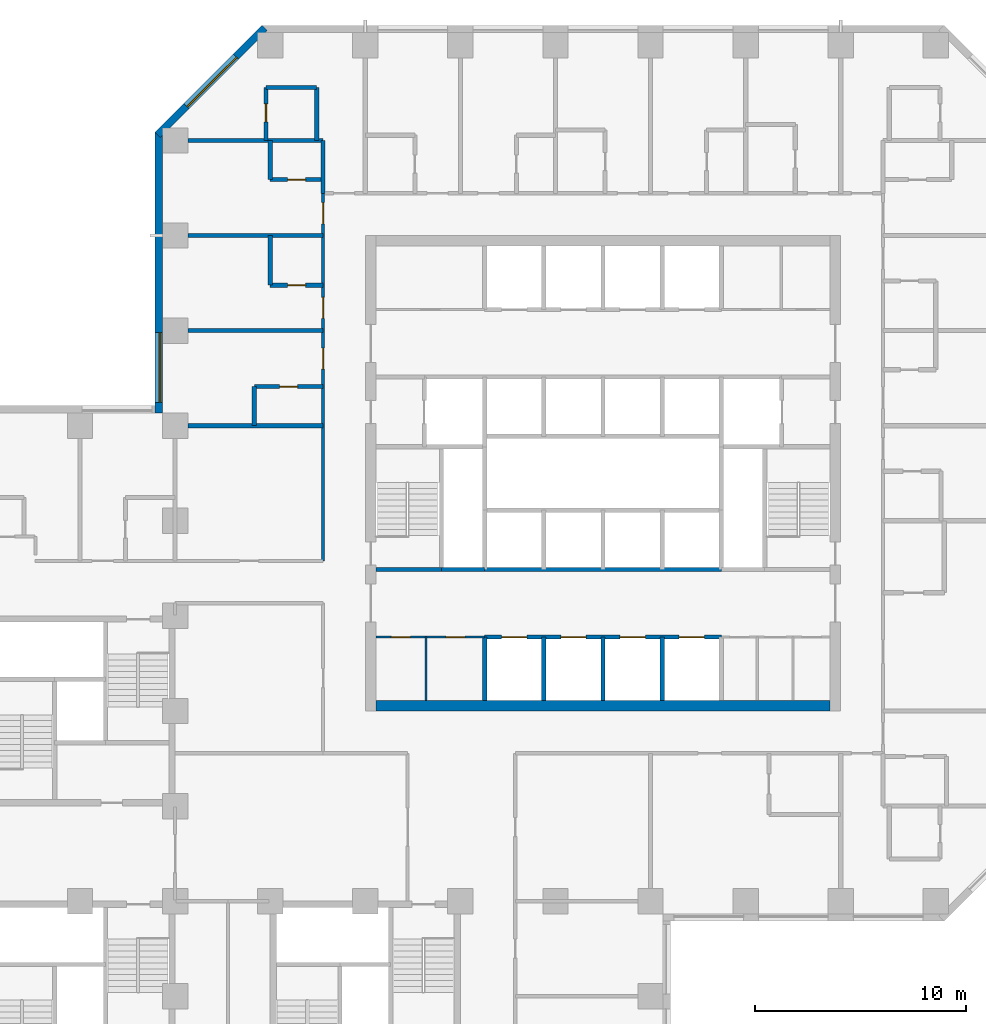
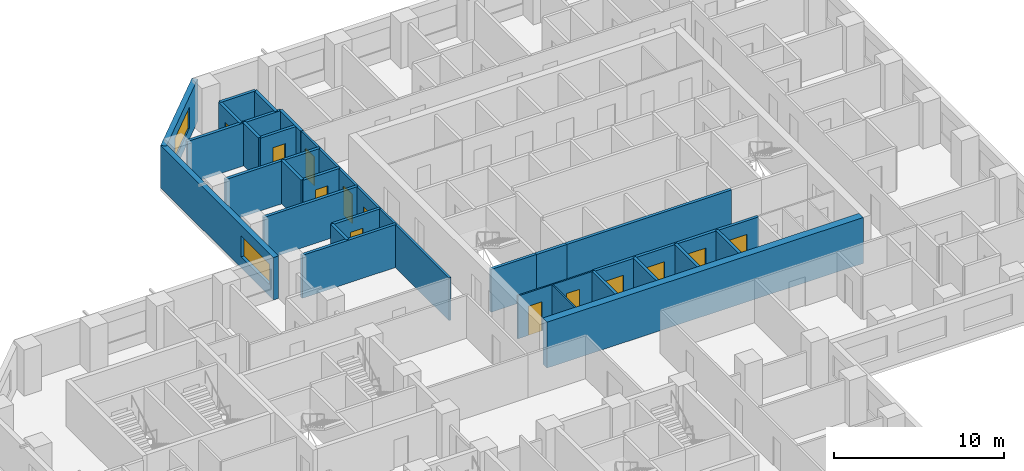
# One storey, part 7 of 13: 28 walls, 13 doors, 2 windows, 15 openings.
"""IFC4 building model written with IfcOpenShell, lengths in metres."""

from ifc_helpers import new_model, si_unit, direction, frame, frame_2d, origin, place, context, subcontext, project, spatial, rectangle, extrude, material, layer, layer_set, constituent, constituent_set, type_object, element, fill, save


model = new_model("IFC4")

# Units and contexts
model_context = context("Model", 3, precision=1e-05, world=origin(), true_north=direction((0.0, 1.0)))
body_context = subcontext(model_context, "Body", "Model", "MODEL_VIEW")
ifc_project = project(units=[si_unit("LENGTHUNIT", "METRE"), si_unit("AREAUNIT", "SQUARE_METRE"), si_unit("VOLUMEUNIT", "CUBIC_METRE"), si_unit("PLANEANGLEUNIT", "RADIAN"), si_unit("MASSUNIT", "GRAM", prefix="KILO")], contexts=[model_context])

# Site, building, storey
site_placement = place(None, origin())
site = spatial("IfcSite", under=ifc_project, at=site_placement, CompositionType="ELEMENT")
building_placement = place(site_placement, origin())
building = spatial("IfcBuilding", under=site, at=building_placement, Name="Quoin Convention Tower", CompositionType="ELEMENT")
storey_placement = place(building_placement, frame((0.0, 0.0, 23.10009765625)))
storey = spatial("IfcBuildingStorey", under=building, at=storey_placement, Name="L04", CompositionType="ELEMENT", Elevation=23.10009765625)

# Wall, opening, window
ifc_material_1 = material(Name="Brick masonry", Category="masonry")
ifc_layer_1 = layer(ifc_material_1, 0.35009765625)
ifc_layer_set_1 = layer_set([ifc_layer_1], Name="Brick masonry")
wall_type_1 = type_object("IfcWallType", Name="Brick facade wall", PredefinedType="STANDARD", material=ifc_layer_set_1)
wall_1_placement = place(storey_placement, frame((40.230224609375, 81.826416015625, 0.0), z_axis=(0.0, 0.0, 1.0), x_axis=(-0.707106781187, -0.707106781187, 0.0)))
wall_1 = element("IfcWall", 1, at=wall_1_placement, inside=storey, type_object=wall_type_1, Name="fw-L04-40500_81000", PredefinedType="STANDARD", context=body_context, shape_type="SweptSolid", body=[
    extrude(rectangle(XDim=7.151123046875, YDim=0.35009765625, at=frame_2d((3.57568359375, 0.0))), origin(), (0.0, 0.0, 1.0), 3.054931640625),
])
opening_1_placement = place(wall_1_placement, frame((1.925537109375, 0.0, 0.800048828125)))
opening_1 = element("IfcOpeningElement", 2, at=opening_1_placement, cuts=wall_1, Name="Opening W-01", PredefinedType="OPENING", context=body_context, shape_type="SweptSolid", body=[
    extrude(rectangle(XDim=3.300048828125, YDim=1.5, at=frame_2d((1.64990234375, 0.75))), frame((0.0, 0.18505859375, 0.0), z_axis=(0.0, -1.0, 0.0), x_axis=(1.0, 0.0, 0.0)), (0.0, 0.0, 1.0), 0.3701171875),
])
ifc_material_2 = material(Name="Aluminium", Category="aluminium")
ifc_constituent_1 = constituent(ifc_material_2, Name="Frame")
ifc_material_3 = material(Name="Insulated glass", Category="glass")
ifc_constituent_2 = constituent(ifc_material_3, Name="Glazing")
ifc_constituent_set = constituent_set(constituents=[ifc_constituent_1, ifc_constituent_2], Name="Aluminium")
window_type = type_object("IfcWindowType", Name="Hotel strip window", PartitioningType="DOUBLE_PANEL_VERTICAL", PredefinedType="WINDOW", material=ifc_constituent_set)
window_1_placement = place(opening_1_placement, origin())
window_1 = element("IfcWindow", 3, at=window_1_placement, inside=storey, type_object=window_type, Name="win-L04-37702_79298", OverallHeight=1.5, OverallWidth=3.300048828125, PartitioningType="SINGLE_PANEL", PredefinedType="WINDOW", context=body_context, shape_type="SweptSolid", body=[
    extrude(rectangle(XDim=3.300048828125, YDim=1.5, at=frame_2d((1.64990234375, 0.75))), frame((0.0, 0.0849609375, 0.0), z_axis=(0.0, -1.0, 0.0), x_axis=(1.0, 0.0, 0.0)), (0.0, 0.0, 1.0), 0.06005859375),
])
fill(opening_1, window_1)

wall_2_placement = place(storey_placement, frame((35.22509765625, 76.8935546875, 0.0), z_axis=(0.0, 0.0, 1.0), x_axis=(0.0, -1.0, 0.0)))
wall_2 = element("IfcWall", 4, at=wall_2_placement, inside=storey, type_object=wall_type_1, Name="fw-L04-36000_76500", PredefinedType="STANDARD", context=body_context, shape_type="SweptSolid", body=[
    extrude(rectangle(XDim=13.29345703125, YDim=0.35009765625, at=frame_2d((6.646728515625, 0.0))), origin(), (0.0, 0.0, 1.0), 3.054931640625),
])
opening_2_placement = place(wall_2_placement, frame((9.493408203125, 0.0, 0.800048828125)))
opening_2 = element("IfcOpeningElement", 5, at=opening_2_placement, cuts=wall_2, Name="Opening W-01", PredefinedType="OPENING", context=body_context, shape_type="SweptSolid", body=[
    extrude(rectangle(XDim=3.300048828125, YDim=1.5, at=frame_2d((1.64990234375, 0.75))), frame((0.0, 0.18505859375, 0.0), z_axis=(0.0, -1.0, 0.0), x_axis=(1.0, 0.0, 0.0)), (0.0, 0.0, 1.0), 0.3701171875),
])
window_2_placement = place(opening_2_placement, origin())
window_2 = element("IfcWindow", 6, at=window_2_placement, inside=storey, type_object=window_type, Name="win-L04-35225_65250", OverallHeight=1.5, OverallWidth=3.300048828125, PartitioningType="SINGLE_PANEL", PredefinedType="WINDOW", context=body_context, shape_type="SweptSolid", body=[
    extrude(rectangle(XDim=3.300048828125, YDim=1.5, at=frame_2d((1.64990234375, 0.75))), frame((0.0, 0.0849609375, 0.0), z_axis=(0.0, -1.0, 0.0), x_axis=(1.0, 0.0, 0.0)), (0.0, 0.0, 1.0), 0.06005859375),
])
fill(opening_2, window_2)

# Wall, openings, doors
ifc_material_4 = material(Name="Plasterboard")
ifc_layer_2 = layer(ifc_material_4, 0.012451171875, Name="Finish")
ifc_material_5 = material(Name="Steel stud framing", Category="steel")
ifc_layer_3 = layer(ifc_material_5, 0.074951171875, Name="Structure")
ifc_layer_4 = layer(ifc_material_4, 0.012451171875, Name="Finish")
ifc_layer_set_2 = layer_set([ifc_layer_2, ifc_layer_3, ifc_layer_4], Name="Steel stud framing")
wall_type_2 = type_object("IfcWallType", Name="Core partition wall", PredefinedType="PARTITIONING", material=ifc_layer_set_2)
wall_3_placement = place(storey_placement, frame((45.5, 53.0, 0.0), z_axis=(0.0, 0.0, 1.0), x_axis=(1.0, 0.0, 0.0)))
wall_3 = element("IfcWall", 7, at=wall_3_placement, inside=storey, type_object=wall_type_2, Name="cr-C1-L04-h3500_500", PredefinedType="PARTITIONING", context=body_context, shape_type="SweptSolid", body=[
    extrude(rectangle(XDim=5.14990234375, YDim=0.10009765625, at=frame_2d((2.574951171875, 0.0))), origin(), (0.0, 0.0, 1.0), 3.079833984375),
])
opening_3_placement = place(wall_3_placement, frame((0.734619140625, 0.0, 0.0)))
opening_3 = element("IfcOpeningElement", 8, at=opening_3_placement, cuts=wall_3, Name="Opening DCV2-35", PredefinedType="OPENING", context=body_context, shape_type="SweptSolid", body=[
    extrude(rectangle(XDim=0.89990234375, YDim=2.10009765625, at=frame_2d((0.449951171875, 1.050048828125))), frame((0.0, 0.06005859375, 0.0), z_axis=(0.0, -1.0, 0.0), x_axis=(1.0, 0.0, 0.0)), (0.0, 0.0, 1.0), 0.1201171875),
])
opening_4_placement = place(wall_3_placement, frame((3.3095703125, 0.0, 0.0)))
opening_4 = element("IfcOpeningElement", 9, at=opening_4_placement, cuts=wall_3, Name="Opening DCV2-36", PredefinedType="OPENING", context=body_context, shape_type="SweptSolid", body=[
    extrude(rectangle(XDim=0.89990234375, YDim=2.10009765625, at=frame_2d((0.449951171875, 1.050048828125))), frame((0.0, 0.06005859375, 0.0), z_axis=(0.0, -1.0, 0.0), x_axis=(1.0, 0.0, 0.0)), (0.0, 0.0, 1.0), 0.1201171875),
])
ifc_material_6 = material(Name="Steel door leaf", Category="steel")
door_type_1 = type_object("IfcDoorType", Name="Core room door 900 x 2100", OperationType="SINGLE_SWING_LEFT", PredefinedType="DOOR", material=ifc_material_6)
door_1_placement = place(opening_3_placement, frame((0.89990234375, 0.0, 0.0), z_axis=(0.0, 0.0, 1.0), x_axis=(-1.0, 0.0, 0.0)))
door_1 = element("IfcDoor", 10, at=door_1_placement, inside=storey, type_object=door_type_1, Name="cd-C1-L04-CSW0-lobA-CD0413", OperationType="SINGLE_SWING_LEFT", OverallHeight=2.10009765625, OverallWidth=0.89990234375, PredefinedType="DOOR", context=body_context, shape_type="SweptSolid", body=[
    extrude(rectangle(XDim=0.89990234375, YDim=2.10009765625, at=frame_2d((0.449951171875, 1.050048828125))), frame((0.0, 0.02490234375, 0.0), z_axis=(0.0, -1.0, 0.0), x_axis=(1.0, 0.0, 0.0)), (0.0, 0.0, 1.0), 0.050048828125),
])
fill(opening_3, door_1)
door_2_placement = place(opening_4_placement, frame((0.89990234375, 0.0, 0.0), z_axis=(0.0, 0.0, 1.0), x_axis=(-1.0, 0.0, 0.0)))
door_2 = element("IfcDoor", 11, at=door_2_placement, inside=storey, type_object=door_type_1, Name="cd-C1-L04-CSW1-lobA-CD0414", OperationType="SINGLE_SWING_LEFT", OverallHeight=2.10009765625, OverallWidth=0.89990234375, PredefinedType="DOOR", context=body_context, shape_type="SweptSolid", body=[
    extrude(rectangle(XDim=0.89990234375, YDim=2.10009765625, at=frame_2d((0.449951171875, 1.050048828125))), frame((0.0, 0.02490234375, 0.0), z_axis=(0.0, -1.0, 0.0), x_axis=(1.0, 0.0, 0.0)), (0.0, 0.0, 1.0), 0.050048828125),
])
fill(opening_4, door_2)

# Wall
wall_4_placement = place(storey_placement, frame((47.868896484375, 50.0, 0.0), z_axis=(0.0, 0.0, 1.0), x_axis=(0.0, 1.0, 0.0)))
element("IfcWall", 12, at=wall_4_placement, inside=storey, type_object=wall_type_2, Name="cr-C1-L04-v2869_500", PredefinedType="PARTITIONING", context=body_context, shape_type="SweptSolid", body=[
    extrude(rectangle(XDim=3.0, YDim=0.10009765625, at=frame_2d((1.5, 0.0))), origin(), (0.0, 0.0, 1.0), 3.079833984375),
])

# Wall, openings, doors
ifc_material_7 = material(Name="Concrete C50", Category="concrete")
ifc_layer_5 = layer(ifc_material_7, 0.199951171875)
ifc_layer_set_3 = layer_set([ifc_layer_5], Name="Concrete C50")
wall_type_3 = type_object("IfcWallType", Name="Core shaft wall", PredefinedType="SOLIDWALL", material=ifc_layer_set_3)
wall_5_placement = place(storey_placement, frame((50.64990234375, 53.0, 0.0), z_axis=(0.0, 0.0, 1.0), x_axis=(1.0, 0.0, 0.0)))
wall_5 = element("IfcWall", 13, at=wall_5_placement, inside=storey, type_object=wall_type_3, Name="cr-C1-L04-h3500_5650", PredefinedType="SOLIDWALL", context=body_context, shape_type="SweptSolid", body=[
    extrude(rectangle(XDim=11.2001953125, YDim=0.199951171875, at=frame_2d((5.60009765625, 0.0))), origin(), (0.0, 0.0, 1.0), 3.079833984375),
])
opening_5_placement = place(wall_5_placement, frame((0.800048828125, 0.0, 0.0)))
opening_5 = element("IfcOpeningElement", 14, at=opening_5_placement, cuts=wall_5, Name="Opening LDL1", PredefinedType="OPENING", context=body_context, shape_type="SweptSolid", body=[
    extrude(rectangle(XDim=1.199951171875, YDim=2.10009765625, at=frame_2d((0.60009765625, 1.050048828125))), frame((0.0, 0.10986328125, 0.0), z_axis=(0.0, -1.0, 0.0), x_axis=(1.0, 0.0, 0.0)), (0.0, 0.0, 1.0), 0.219970703125),
])
opening_6_placement = place(wall_5_placement, frame((3.60009765625, 0.0, 0.0)))
opening_6 = element("IfcOpeningElement", 15, at=opening_6_placement, cuts=wall_5, Name="Opening LDL2", PredefinedType="OPENING", context=body_context, shape_type="SweptSolid", body=[
    extrude(rectangle(XDim=1.199951171875, YDim=2.10009765625, at=frame_2d((0.60009765625, 1.050048828125))), frame((0.0, 0.10986328125, 0.0), z_axis=(0.0, -1.0, 0.0), x_axis=(1.0, 0.0, 0.0)), (0.0, 0.0, 1.0), 0.219970703125),
])
opening_7_placement = place(wall_5_placement, frame((6.39990234375, 0.0, 0.0)))
opening_7 = element("IfcOpeningElement", 16, at=opening_7_placement, cuts=wall_5, Name="Opening LDL3", PredefinedType="OPENING", context=body_context, shape_type="SweptSolid", body=[
    extrude(rectangle(XDim=1.199951171875, YDim=2.10009765625, at=frame_2d((0.60009765625, 1.050048828125))), frame((0.0, 0.10986328125, 0.0), z_axis=(0.0, -1.0, 0.0), x_axis=(1.0, 0.0, 0.0)), (0.0, 0.0, 1.0), 0.219970703125),
])
opening_8_placement = place(wall_5_placement, frame((9.199951171875, 0.0, 0.0)))
opening_8 = element("IfcOpeningElement", 17, at=opening_8_placement, cuts=wall_5, Name="Opening LDL4", PredefinedType="OPENING", context=body_context, shape_type="SweptSolid", body=[
    extrude(rectangle(XDim=1.199951171875, YDim=2.10009765625, at=frame_2d((0.60009765625, 1.050048828125))), frame((0.0, 0.10986328125, 0.0), z_axis=(0.0, -1.0, 0.0), x_axis=(1.0, 0.0, 0.0)), (0.0, 0.0, 1.0), 0.219970703125),
])
door_type_2 = type_object("IfcDoorType", Name="Lift landing door 1200 x 2100", OperationType="DOUBLE_DOOR_SLIDING", PredefinedType="DOOR", material=ifc_material_6)
door_3_placement = place(opening_5_placement, origin())
door_3 = element("IfcDoor", 18, at=door_3_placement, inside=storey, type_object=door_type_2, Name="cd-C1-L04-R10-lobA-LDL1", OperationType="DOUBLE_DOOR_SLIDING", OverallHeight=2.10009765625, OverallWidth=1.199951171875, PredefinedType="DOOR", context=body_context, shape_type="SweptSolid", body=[
    extrude(rectangle(XDim=1.199951171875, YDim=2.10009765625, at=frame_2d((0.60009765625, 1.050048828125))), frame((0.0, 0.02490234375, 0.0), z_axis=(0.0, -1.0, 0.0), x_axis=(1.0, 0.0, 0.0)), (0.0, 0.0, 1.0), 0.050048828125),
])
fill(opening_5, door_3)
door_4_placement = place(opening_6_placement, origin())
door_4 = element("IfcDoor", 19, at=door_4_placement, inside=storey, type_object=door_type_2, Name="cd-C1-L04-R11-lobA-LDL2", OperationType="DOUBLE_DOOR_SLIDING", OverallHeight=2.10009765625, OverallWidth=1.199951171875, PredefinedType="DOOR", context=body_context, shape_type="SweptSolid", body=[
    extrude(rectangle(XDim=1.199951171875, YDim=2.10009765625, at=frame_2d((0.60009765625, 1.050048828125))), frame((0.0, 0.02490234375, 0.0), z_axis=(0.0, -1.0, 0.0), x_axis=(1.0, 0.0, 0.0)), (0.0, 0.0, 1.0), 0.050048828125),
])
fill(opening_6, door_4)
door_5_placement = place(opening_7_placement, origin())
door_5 = element("IfcDoor", 20, at=door_5_placement, inside=storey, type_object=door_type_2, Name="cd-C1-L04-R12-lobA-LDL3", OperationType="DOUBLE_DOOR_SLIDING", OverallHeight=2.10009765625, OverallWidth=1.199951171875, PredefinedType="DOOR", context=body_context, shape_type="SweptSolid", body=[
    extrude(rectangle(XDim=1.199951171875, YDim=2.10009765625, at=frame_2d((0.60009765625, 1.050048828125))), frame((0.0, 0.02490234375, 0.0), z_axis=(0.0, -1.0, 0.0), x_axis=(1.0, 0.0, 0.0)), (0.0, 0.0, 1.0), 0.050048828125),
])
fill(opening_7, door_5)
door_6_placement = place(opening_8_placement, origin())
door_6 = element("IfcDoor", 21, at=door_6_placement, inside=storey, type_object=door_type_2, Name="cd-C1-L04-R13-lobA-LDL4", OperationType="DOUBLE_DOOR_SLIDING", OverallHeight=2.10009765625, OverallWidth=1.199951171875, PredefinedType="DOOR", context=body_context, shape_type="SweptSolid", body=[
    extrude(rectangle(XDim=1.199951171875, YDim=2.10009765625, at=frame_2d((0.60009765625, 1.050048828125))), frame((0.0, 0.02490234375, 0.0), z_axis=(0.0, -1.0, 0.0), x_axis=(1.0, 0.0, 0.0)), (0.0, 0.0, 1.0), 0.050048828125),
])
fill(opening_8, door_6)

# Walls
wall_6_placement = place(storey_placement, frame((48.60009765625, 56.199951171875, 0.0), z_axis=(0.0, 0.0, 1.0), x_axis=(1.0, 0.0, 0.0)))
element("IfcWall", 22, at=wall_6_placement, inside=storey, type_object=wall_type_3, Name="cr-C1-L04-h6700_3600", PredefinedType="SOLIDWALL", context=body_context, shape_type="SweptSolid", body=[
    extrude(rectangle(XDim=2.0498046875, YDim=0.199951171875, at=frame_2d((1.02490234375, 0.0))), origin(), (0.0, 0.0, 1.0), 3.079833984375),
])
wall_7_placement = place(storey_placement, frame((45.5, 56.199951171875, 0.0), z_axis=(0.0, 0.0, 1.0), x_axis=(1.0, 0.0, 0.0)))
element("IfcWall", 23, at=wall_7_placement, inside=storey, type_object=wall_type_3, Name="cr-C1-L04-h6700_500", PredefinedType="SOLIDWALL", context=body_context, shape_type="SweptSolid", body=[
    extrude(rectangle(XDim=3.10009765625, YDim=0.199951171875, at=frame_2d((1.550048828125, 0.0))), origin(), (0.0, 0.0, 1.0), 3.079833984375),
])
wall_8_placement = place(storey_placement, frame((50.64990234375, 56.199951171875, 0.0), z_axis=(0.0, 0.0, 1.0), x_axis=(1.0, 0.0, 0.0)))
element("IfcWall", 24, at=wall_8_placement, inside=storey, type_object=wall_type_3, Name="cr-C1-L04-h6700_5650", PredefinedType="SOLIDWALL", context=body_context, shape_type="SweptSolid", body=[
    extrude(rectangle(XDim=11.2001953125, YDim=0.199951171875, at=frame_2d((5.60009765625, 0.0))), origin(), (0.0, 0.0, 1.0), 3.079833984375),
])
for number, where, z_axis, x_axis, name in (
    (25, (50.64990234375, 50.0, 0.0), (0.0, 0.0, 1.0), (0.0, 1.0, 0.0), "cr-C1-L04-v5650_500"),
    (26, (53.449951171875, 50.0, 0.0), (0.0, 0.0, 1.0), (0.0, 1.0, 0.0), "cr-C1-L04-v8450_500"),
    (27, (56.25, 50.0, 0.0), (0.0, 0.0, 1.0), (0.0, 1.0, 0.0), "cr-C1-L04-v11250_500"),
    (28, (59.050048828125, 50.0, 0.0), (0.0, 0.0, 1.0), (0.0, 1.0, 0.0), "cr-C1-L04-v14050_500"),
):
    element("IfcWall", number, at=place(storey_placement, frame(where, z_axis=z_axis, x_axis=x_axis)), inside=storey, type_object=wall_type_3, Name=name, PredefinedType="SOLIDWALL", context=body_context, shape_type="SweptSolid", body=[
        extrude(rectangle(XDim=3.0, YDim=0.199951171875, at=frame_2d((1.5, 0.0))), origin(), (0.0, 0.0, 1.0), 3.079833984375),
    ])
ifc_material_8 = material(Name="Concrete C80", Category="concrete")
ifc_layer_6 = layer(ifc_material_8, 0.5)
ifc_layer_set_4 = layer_set([ifc_layer_6], Name="Concrete C80")
wall_type_4 = type_object("IfcWallType", Name="RC CORE WALL 500 C80", PredefinedType="SHEAR", material=ifc_layer_set_4)
wall_9_placement = place(storey_placement, frame((45.5, 49.75, 0.0), z_axis=(0.0, 0.0, 1.0), x_axis=(1.0, 0.0, 0.0)))
element("IfcWall", 29, at=wall_9_placement, inside=storey, type_object=wall_type_4, Name="cwl-C1-L04-S", PredefinedType="SHEAR", context=body_context, shape_type="SweptSolid", body=[
    extrude(rectangle(XDim=21.5, YDim=0.5, at=frame_2d((10.75, 0.0))), origin(), (0.0, 0.0, 1.0), 3.2998046875),
])
ifc_layer_7 = layer(ifc_material_7, 0.199951171875)
ifc_layer_set_5 = layer_set([ifc_layer_7], Name="Concrete C50")
wall_type_5 = type_object("IfcWallType", Name="RC party wall", PredefinedType="SOLIDWALL", material=ifc_layer_set_5)
wall_10_placement = place(storey_placement, frame((39.75, 63.0, 0.0), z_axis=(0.0, 0.0, 1.0), x_axis=(0.0, 1.0, 0.0)))
element("IfcWall", 30, at=wall_10_placement, inside=storey, type_object=wall_type_5, Name="pw-L04-098", PredefinedType="SOLIDWALL", context=body_context, shape_type="SweptSolid", body=[
    extrude(rectangle(XDim=1.85009765625, YDim=0.199951171875, at=frame_2d((0.925048828125, 0.0))), origin(), (0.0, 0.0, 1.0), 3.079833984375),
])

# Wall, opening, door
wall_11_placement = place(storey_placement, frame((39.75, 64.85009765625, 0.0), z_axis=(0.0, 0.0, 1.0), x_axis=(1.0, 0.0, 0.0)))
wall_11 = element("IfcWall", 31, at=wall_11_placement, inside=storey, type_object=wall_type_5, Name="pw-L04-100", PredefinedType="SOLIDWALL", context=body_context, shape_type="SweptSolid", body=[
    extrude(rectangle(XDim=3.25, YDim=0.199951171875, at=frame_2d((1.625, 0.0))), origin(), (0.0, 0.0, 1.0), 3.079833984375),
])
opening_9_placement = place(wall_11_placement, frame((1.199951171875, 0.0, 0.0)))
opening_9 = element("IfcOpeningElement", 32, at=opening_9_placement, cuts=wall_11, Name="Opening DHOTEL-M-61", PredefinedType="OPENING", context=body_context, shape_type="SweptSolid", body=[
    extrude(rectangle(XDim=0.85009765625, YDim=2.10009765625, at=frame_2d((0.425048828125, 1.050048828125))), frame((0.0, 0.10986328125, 0.0), z_axis=(0.0, -1.0, 0.0), x_axis=(1.0, 0.0, 0.0)), (0.0, 0.0, 1.0), 0.219970703125),
])
door_type_3 = type_object("IfcDoorType", Name="Bathroom door", OperationType="SINGLE_SWING_LEFT", PredefinedType="DOOR", material=ifc_material_6)
door_7_placement = place(opening_9_placement, origin())
door_7 = element("IfcDoor", 33, at=door_7_placement, inside=storey, type_object=door_type_3, Name="dr-L04-032", OperationType="SINGLE_SWING_RIGHT", OverallHeight=2.10009765625, OverallWidth=0.85009765625, PredefinedType="DOOR", context=body_context, shape_type="SweptSolid", body=[
    extrude(rectangle(XDim=0.85009765625, YDim=2.10009765625, at=frame_2d((0.425048828125, 1.050048828125))), frame((0.0, 0.02490234375, 0.0), z_axis=(0.0, -1.0, 0.0), x_axis=(1.0, 0.0, 0.0)), (0.0, 0.0, 1.0), 0.050048828125),
])
fill(opening_9, door_7)

# Wall
wall_12_placement = place(storey_placement, frame((36.60009765625, 67.5, 0.0), z_axis=(0.0, 0.0, 1.0), x_axis=(1.0, 0.0, 0.0)))
element("IfcWall", 34, at=wall_12_placement, inside=storey, type_object=wall_type_5, Name="pw-L04-103", PredefinedType="SOLIDWALL", context=body_context, shape_type="SweptSolid", body=[
    extrude(rectangle(XDim=6.39990234375, YDim=0.199951171875, at=frame_2d((3.199951171875, 0.0))), origin(), (0.0, 0.0, 1.0), 3.079833984375),
])

# Wall, opening, door
wall_13_placement = place(storey_placement, frame((40.5, 69.64990234375, 0.0), z_axis=(0.0, 0.0, 1.0), x_axis=(1.0, 0.0, 0.0)))
wall_13 = element("IfcWall", 35, at=wall_13_placement, inside=storey, type_object=wall_type_5, Name="pw-L04-105", PredefinedType="SOLIDWALL", context=body_context, shape_type="SweptSolid", body=[
    extrude(rectangle(XDim=2.5, YDim=0.199951171875, at=frame_2d((1.25, 0.0))), origin(), (0.0, 0.0, 1.0), 3.079833984375),
])
opening_10_placement = place(wall_13_placement, frame((0.824951171875, 0.0, 0.0)))
opening_10 = element("IfcOpeningElement", 36, at=opening_10_placement, cuts=wall_13, Name="Opening DHOTEL-M-63", PredefinedType="OPENING", context=body_context, shape_type="SweptSolid", body=[
    extrude(rectangle(XDim=0.85009765625, YDim=2.10009765625, at=frame_2d((0.425048828125, 1.050048828125))), frame((0.0, 0.10986328125, 0.0), z_axis=(0.0, -1.0, 0.0), x_axis=(1.0, 0.0, 0.0)), (0.0, 0.0, 1.0), 0.219970703125),
])
door_8_placement = place(opening_10_placement, origin())
door_8 = element("IfcDoor", 37, at=door_8_placement, inside=storey, type_object=door_type_3, Name="dr-L04-034", OperationType="SINGLE_SWING_RIGHT", OverallHeight=2.10009765625, OverallWidth=0.85009765625, PredefinedType="DOOR", context=body_context, shape_type="SweptSolid", body=[
    extrude(rectangle(XDim=0.85009765625, YDim=2.10009765625, at=frame_2d((0.425048828125, 1.050048828125))), frame((0.0, 0.02490234375, 0.0), z_axis=(0.0, -1.0, 0.0), x_axis=(1.0, 0.0, 0.0)), (0.0, 0.0, 1.0), 0.050048828125),
])
fill(opening_10, door_8)

# Walls
wall_14_placement = place(storey_placement, frame((40.5, 69.64990234375, 0.0), z_axis=(0.0, 0.0, 1.0), x_axis=(0.0, 1.0, 0.0)))
element("IfcWall", 38, at=wall_14_placement, inside=storey, type_object=wall_type_5, Name="pw-L04-106", PredefinedType="SOLIDWALL", context=body_context, shape_type="SweptSolid", body=[
    extrude(rectangle(XDim=2.35009765625, YDim=0.199951171875, at=frame_2d((1.175048828125, 0.0))), origin(), (0.0, 0.0, 1.0), 3.079833984375),
])
wall_15_placement = place(storey_placement, frame((36.60009765625, 72.0, 0.0), z_axis=(0.0, 0.0, 1.0), x_axis=(1.0, 0.0, 0.0)))
element("IfcWall", 39, at=wall_15_placement, inside=storey, type_object=wall_type_5, Name="pw-L04-108", PredefinedType="SOLIDWALL", context=body_context, shape_type="SweptSolid", body=[
    extrude(rectangle(XDim=6.39990234375, YDim=0.199951171875, at=frame_2d((3.199951171875, 0.0))), origin(), (0.0, 0.0, 1.0), 3.079833984375),
])
wall_16_placement = place(storey_placement, frame((43.0, 74.0, 0.0), z_axis=(0.0, 0.0, 1.0), x_axis=(0.0, 1.0, 0.0)))
element("IfcWall", 40, at=wall_16_placement, inside=storey, type_object=wall_type_5, Name="pw-L04-110", PredefinedType="SOLIDWALL", context=body_context, shape_type="SweptSolid", body=[
    extrude(rectangle(XDim=2.5, YDim=0.199951171875, at=frame_2d((1.25, 0.0))), origin(), (0.0, 0.0, 1.0), 3.079833984375),
])

# Wall, opening, door
wall_17_placement = place(storey_placement, frame((40.5, 74.64990234375, 0.0), z_axis=(0.0, 0.0, 1.0), x_axis=(1.0, 0.0, 0.0)))
wall_17 = element("IfcWall", 41, at=wall_17_placement, inside=storey, type_object=wall_type_5, Name="pw-L04-123", PredefinedType="SOLIDWALL", context=body_context, shape_type="SweptSolid", body=[
    extrude(rectangle(XDim=2.5, YDim=0.199951171875, at=frame_2d((1.25, 0.0))), origin(), (0.0, 0.0, 1.0), 3.079833984375),
])
opening_11_placement = place(wall_17_placement, frame((0.824951171875, 0.0, 0.0)))
opening_11 = element("IfcOpeningElement", 42, at=opening_11_placement, cuts=wall_17, Name="Opening DHOTEL-M-70", PredefinedType="OPENING", context=body_context, shape_type="SweptSolid", body=[
    extrude(rectangle(XDim=0.85009765625, YDim=2.10009765625, at=frame_2d((0.425048828125, 1.050048828125))), frame((0.0, 0.10986328125, 0.0), z_axis=(0.0, -1.0, 0.0), x_axis=(1.0, 0.0, 0.0)), (0.0, 0.0, 1.0), 0.219970703125),
])
door_9_placement = place(opening_11_placement, frame((0.85009765625, 0.0, 0.0), z_axis=(0.0, 0.0, 1.0), x_axis=(-1.0, 0.0, 0.0)))
door_9 = element("IfcDoor", 43, at=door_9_placement, inside=storey, type_object=door_type_3, Name="dr-L04-036", OperationType="SINGLE_SWING_LEFT", OverallHeight=2.10009765625, OverallWidth=0.85009765625, PredefinedType="DOOR", context=body_context, shape_type="SweptSolid", body=[
    extrude(rectangle(XDim=0.85009765625, YDim=2.10009765625, at=frame_2d((0.425048828125, 1.050048828125))), frame((0.0, 0.02490234375, 0.0), z_axis=(0.0, -1.0, 0.0), x_axis=(1.0, 0.0, 0.0)), (0.0, 0.0, 1.0), 0.050048828125),
])
fill(opening_11, door_9)

# Walls
wall_18_placement = place(storey_placement, frame((40.5, 74.64990234375, 0.0), z_axis=(0.0, 0.0, 1.0), x_axis=(0.0, 1.0, 0.0)))
element("IfcWall", 44, at=wall_18_placement, inside=storey, type_object=wall_type_5, Name="pw-L04-124", PredefinedType="SOLIDWALL", context=body_context, shape_type="SweptSolid", body=[
    extrude(rectangle(XDim=1.85009765625, YDim=0.199951171875, at=frame_2d((0.925048828125, 0.0))), origin(), (0.0, 0.0, 1.0), 3.079833984375),
])
wall_19_placement = place(storey_placement, frame((36.60009765625, 76.5, 0.0), z_axis=(0.0, 0.0, 1.0), x_axis=(1.0, 0.0, 0.0)))
element("IfcWall", 45, at=wall_19_placement, inside=storey, type_object=wall_type_5, Name="pw-L04-127", PredefinedType="SOLIDWALL", context=body_context, shape_type="SweptSolid", body=[
    extrude(rectangle(XDim=6.39990234375, YDim=0.199951171875, at=frame_2d((3.199951171875, 0.0))), origin(), (0.0, 0.0, 1.0), 3.079833984375),
])

# Wall, opening, door
wall_20_placement = place(storey_placement, frame((40.300048828125, 76.5, 0.0), z_axis=(0.0, 0.0, 1.0), x_axis=(0.0, 1.0, 0.0)))
wall_20 = element("IfcWall", 46, at=wall_20_placement, inside=storey, type_object=wall_type_5, Name="pw-L04-128", PredefinedType="SOLIDWALL", context=body_context, shape_type="SweptSolid", body=[
    extrude(rectangle(XDim=2.5, YDim=0.199951171875, at=frame_2d((1.25, 0.0))), origin(), (0.0, 0.0, 1.0), 3.079833984375),
])
opening_12_placement = place(wall_20_placement, frame((0.875, 0.0, 0.0)))
opening_12 = element("IfcOpeningElement", 47, at=opening_12_placement, cuts=wall_20, Name="Opening DHOTEL-M-72", PredefinedType="OPENING", context=body_context, shape_type="SweptSolid", body=[
    extrude(rectangle(XDim=0.85009765625, YDim=2.10009765625, at=frame_2d((0.425048828125, 1.050048828125))), frame((0.0, 0.10986328125, 0.0), z_axis=(0.0, -1.0, 0.0), x_axis=(1.0, 0.0, 0.0)), (0.0, 0.0, 1.0), 0.219970703125),
])
door_10_placement = place(opening_12_placement, origin())
door_10 = element("IfcDoor", 48, at=door_10_placement, inside=storey, type_object=door_type_3, Name="dr-L04-068", OperationType="SINGLE_SWING_RIGHT", OverallHeight=2.10009765625, OverallWidth=0.85009765625, PredefinedType="DOOR", context=body_context, shape_type="SweptSolid", body=[
    extrude(rectangle(XDim=0.85009765625, YDim=2.10009765625, at=frame_2d((0.425048828125, 1.050048828125))), frame((0.0, 0.02490234375, 0.0), z_axis=(0.0, -1.0, 0.0), x_axis=(1.0, 0.0, 0.0)), (0.0, 0.0, 1.0), 0.050048828125),
])
fill(opening_12, door_10)

# Walls
wall_21_placement = place(storey_placement, frame((42.699951171875, 76.5, 0.0), z_axis=(0.0, 0.0, 1.0), x_axis=(0.0, 1.0, 0.0)))
element("IfcWall", 49, at=wall_21_placement, inside=storey, type_object=wall_type_5, Name="pw-L04-129", PredefinedType="SOLIDWALL", context=body_context, shape_type="SweptSolid", body=[
    extrude(rectangle(XDim=2.5, YDim=0.199951171875, at=frame_2d((1.25, 0.0))), origin(), (0.0, 0.0, 1.0), 3.079833984375),
])
wall_22_placement = place(storey_placement, frame((40.300048828125, 79.0, 0.0), z_axis=(0.0, 0.0, 1.0), x_axis=(1.0, 0.0, 0.0)))
element("IfcWall", 50, at=wall_22_placement, inside=storey, type_object=wall_type_5, Name="pw-L04-138", PredefinedType="SOLIDWALL", context=body_context, shape_type="SweptSolid", body=[
    extrude(rectangle(XDim=2.39990234375, YDim=0.199951171875, at=frame_2d((1.199951171875, 0.0))), origin(), (0.0, 0.0, 1.0), 3.079833984375),
])

# Wall, openings, doors
ifc_layer_8 = layer(ifc_material_4, 0.012451171875, Name="Finish")
ifc_layer_9 = layer(ifc_material_5, 0.125, Name="Structure")
ifc_layer_10 = layer(ifc_material_4, 0.012451171875, Name="Finish")
ifc_layer_set_6 = layer_set([ifc_layer_8, ifc_layer_9, ifc_layer_10], Name="Steel stud framing")
wall_type_6 = type_object("IfcWallType", Name="corridor partition", PredefinedType="PARTITIONING", material=ifc_layer_set_6)
wall_23_placement = place(storey_placement, frame((43.0, 56.60009765625, 0.0), z_axis=(0.0, 0.0, 1.0), x_axis=(0.0, 1.0, 0.0)))
wall_23 = element("IfcWall", 51, at=wall_23_placement, inside=storey, type_object=wall_type_6, Name="pw-L04-036", PredefinedType="PARTITIONING", context=body_context, shape_type="SweptSolid", body=[
    extrude(rectangle(XDim=17.39990234375, YDim=0.14990234375, at=frame_2d((8.699951171875, 0.0))), origin(), (0.0, 0.0, 1.0), 3.079833984375),
])
opening_13_placement = place(wall_23_placement, frame((9.074951171875, 0.0, 0.0)))
opening_13 = element("IfcOpeningElement", 52, at=opening_13_placement, cuts=wall_23, Name="Opening DHOTEL-M-39", PredefinedType="OPENING", context=body_context, shape_type="SweptSolid", body=[
    extrude(rectangle(XDim=1.0, YDim=2.10009765625, at=frame_2d((0.5, 1.050048828125))), frame((0.0, 0.0849609375, 0.0), z_axis=(0.0, -1.0, 0.0), x_axis=(1.0, 0.0, 0.0)), (0.0, 0.0, 1.0), 0.169921875),
])
opening_14_placement = place(wall_23_placement, frame((11.47509765625, 0.0, 0.0)))
opening_14 = element("IfcOpeningElement", 53, at=opening_14_placement, cuts=wall_23, Name="Opening DHOTEL-M-40", PredefinedType="OPENING", context=body_context, shape_type="SweptSolid", body=[
    extrude(rectangle(XDim=1.0, YDim=2.10009765625, at=frame_2d((0.5, 1.050048828125))), frame((0.0, 0.0849609375, 0.0), z_axis=(0.0, -1.0, 0.0), x_axis=(1.0, 0.0, 0.0)), (0.0, 0.0, 1.0), 0.169921875),
])
opening_15_placement = place(wall_23_placement, frame((15.952880859375, 0.0, 0.0)))
opening_15 = element("IfcOpeningElement", 54, at=opening_15_placement, cuts=wall_23, Name="Opening DHOTEL-M-41", PredefinedType="OPENING", context=body_context, shape_type="SweptSolid", body=[
    extrude(rectangle(XDim=1.0, YDim=2.10009765625, at=frame_2d((0.5, 1.050048828125))), frame((0.0, 0.0849609375, 0.0), z_axis=(0.0, -1.0, 0.0), x_axis=(1.0, 0.0, 0.0)), (0.0, 0.0, 1.0), 0.169921875),
])
door_type_4 = type_object("IfcDoorType", Name="Hotel room door", OperationType="SINGLE_SWING_LEFT", PredefinedType="DOOR", material=ifc_material_6)
door_11_placement = place(opening_13_placement, origin())
door_11 = element("IfcDoor", 55, at=door_11_placement, inside=storey, type_object=door_type_4, Name="dr-L04-031", OperationType="SINGLE_SWING_RIGHT", OverallHeight=2.10009765625, OverallWidth=1.0, PredefinedType="DOOR", context=body_context, shape_type="SweptSolid", body=[
    extrude(rectangle(XDim=1.0, YDim=2.10009765625, at=frame_2d((0.5, 1.050048828125))), frame((0.0, 0.02490234375, 0.0), z_axis=(0.0, -1.0, 0.0), x_axis=(1.0, 0.0, 0.0)), (0.0, 0.0, 1.0), 0.050048828125),
])
fill(opening_13, door_11)
door_12_placement = place(opening_14_placement, origin())
door_12 = element("IfcDoor", 56, at=door_12_placement, inside=storey, type_object=door_type_4, Name="dr-L04-033", OperationType="SINGLE_SWING_RIGHT", OverallHeight=2.10009765625, OverallWidth=1.0, PredefinedType="DOOR", context=body_context, shape_type="SweptSolid", body=[
    extrude(rectangle(XDim=1.0, YDim=2.10009765625, at=frame_2d((0.5, 1.050048828125))), frame((0.0, 0.02490234375, 0.0), z_axis=(0.0, -1.0, 0.0), x_axis=(1.0, 0.0, 0.0)), (0.0, 0.0, 1.0), 0.050048828125),
])
fill(opening_14, door_12)
door_13_placement = place(opening_15_placement, origin())
door_13 = element("IfcDoor", 57, at=door_13_placement, inside=storey, type_object=door_type_4, Name="dr-L04-035", OperationType="SINGLE_SWING_RIGHT", OverallHeight=2.10009765625, OverallWidth=1.0, PredefinedType="DOOR", context=body_context, shape_type="SweptSolid", body=[
    extrude(rectangle(XDim=1.0, YDim=2.10009765625, at=frame_2d((0.5, 1.050048828125))), frame((0.0, 0.02490234375, 0.0), z_axis=(0.0, -1.0, 0.0), x_axis=(1.0, 0.0, 0.0)), (0.0, 0.0, 1.0), 0.050048828125),
])
fill(opening_15, door_13)

# Wall
ifc_layer_11 = layer(ifc_material_4, 0.012451171875, Name="Finish")
ifc_layer_12 = layer(ifc_material_5, 0.175048828125, Name="Structure")
ifc_layer_13 = layer(ifc_material_4, 0.012451171875, Name="Finish")
ifc_layer_set_7 = layer_set([ifc_layer_11, ifc_layer_12, ifc_layer_13], Name="Steel stud framing")
wall_type_7 = type_object("IfcWallType", Name="guest room compartment wall", PredefinedType="PARTITIONING", material=ifc_layer_set_7)
wall_24_placement = place(storey_placement, frame((36.60009765625, 63.0, 0.0), z_axis=(0.0, 0.0, 1.0), x_axis=(1.0, 0.0, 0.0)))
element("IfcWall", 58, at=wall_24_placement, inside=storey, type_object=wall_type_7, Name="pw-L04-003", PredefinedType="PARTITIONING", context=body_context, shape_type="SweptSolid", body=[
    extrude(rectangle(XDim=6.39990234375, YDim=0.199951171875, at=frame_2d((3.199951171875, 0.0))), origin(), (0.0, 0.0, 1.0), 3.079833984375),
])

save(model, "model.ifc")
